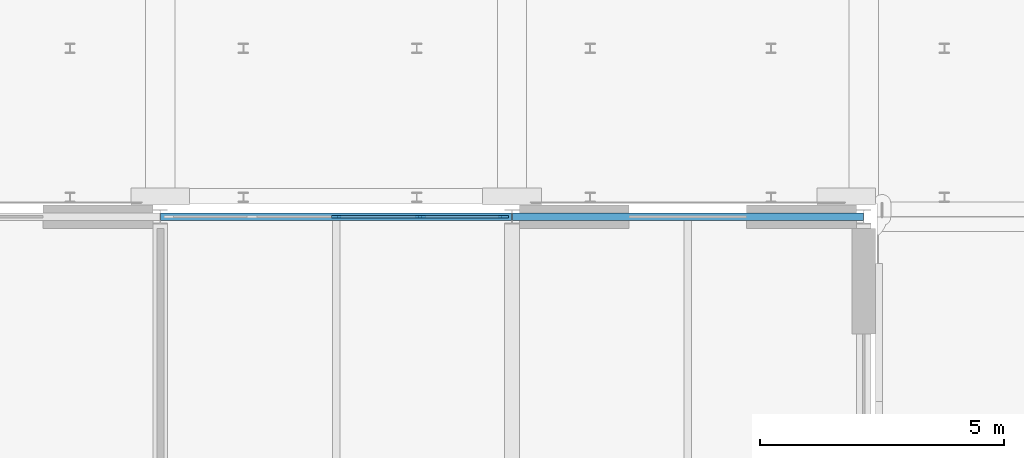
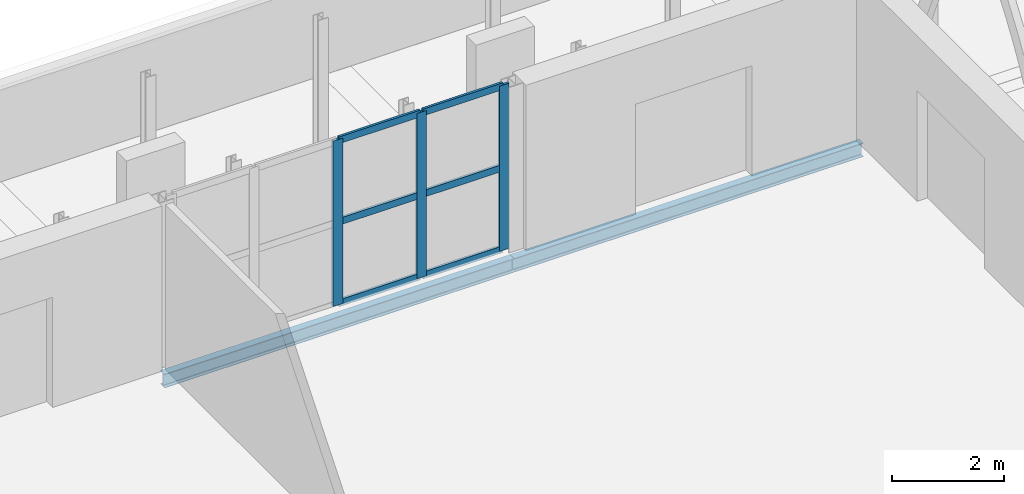
# One storey, part 59 of 143: 9 members, 2 beams, 1 element without a shape of its own.
"""IFC4 building model written with IfcOpenShell, lengths in metres."""

from ifc_helpers import new_model, si_unit, direction, frame, origin, origin_2d, place, context, subcontext, project, spatial, rectangle, i_section, extrude, material, material_profile, profile_set, type_object, element, aggregate, save


model = new_model("IFC4")

# Units and contexts
model_context = context("Model", 3, precision=1e-05, world=origin(), true_north=direction((0.0, 1.0)))
body_context = subcontext(model_context, "Body", "Model", "MODEL_VIEW")
ifc_project = project(units=[si_unit("LENGTHUNIT", "METRE"), si_unit("AREAUNIT", "SQUARE_METRE"), si_unit("VOLUMEUNIT", "CUBIC_METRE"), si_unit("PLANEANGLEUNIT", "RADIAN"), si_unit("MASSUNIT", "GRAM", prefix="KILO")], contexts=[model_context])

# Site, building, storey
site_placement = place(None, origin())
site = spatial("IfcSite", under=ifc_project, at=site_placement, CompositionType="ELEMENT")
building_placement = place(site_placement, origin())
building = spatial("IfcBuilding", under=site, at=building_placement, Name="Kupolbacken Congress Centre", CompositionType="ELEMENT")
storey_placement = place(building_placement, frame((0.0, 0.0, 7.199951171875)))
storey = spatial("IfcBuildingStorey", under=building, at=storey_placement, Name="L02", CompositionType="ELEMENT", Elevation=7.199951171875)

# Beams
ifc_material_1 = material(Name="Steel S355", Category="steel")
ifc_material_profile_1 = material_profile(ifc_material_1, i_section(OverallWidth=0.14990234375, OverallDepth=0.300048828125, WebThickness=0.007080078125, FlangeThickness=0.0107421875, FilletRadius=0.014892578125, at=origin_2d()), Name="IPE 300")
ifc_profile_set_1 = profile_set([ifc_material_profile_1], Name="Steel S355")
beam_type = type_object("IfcBeamType", Name="B04 beam IPE 300", PredefinedType="BEAM", material=ifc_profile_set_1)
for number, where, z_axis, x_axis, name in (
    (1, (187.20556640625, 151.199951171875, -0.369873046875), (1.0, 0.0, 0.0), (0.0, 1.0, 0.0), "S/floor/B/L02/R043"),
    (2, (194.405517578125, 151.199951171875, -0.369873046875), (1.0, 0.0, 0.0), (0.0, 1.0, 0.0), "S/floor/B/L02/R044"),
):
    element("IfcBeam", number, at=place(storey_placement, frame(where, z_axis=z_axis, x_axis=x_axis)), inside=storey, type_object=beam_type, Name=name, PredefinedType="BEAM", context=body_context, shape_type="SweptSolid", body=[
        extrude(i_section(OverallWidth=0.14990234375, OverallDepth=0.300048828125, WebThickness=0.007080078125, FlangeThickness=0.0107421875, FilletRadius=0.014892578125, at=origin_2d()), origin(), (0.0, 0.0, 1.0), 7.18896484375),
    ])

# Curtain wall, members
ifc_material_2 = material(Name="Aluminium mullion-transom frame with glass", Category="aluminium")
curtain_wall_type = type_object("IfcCurtainWallType", Name="CW1 curtain wall 7200x3600", PredefinedType="NOTDEFINED", material=ifc_material_2)
curtain_wall_placement = place(storey_placement, origin())
curtain_wall = element("IfcCurtainWall", 3, at=curtain_wall_placement, inside=storey, type_object=curtain_wall_type, Name="E/B/N/L02/206", PredefinedType="NOTDEFINED")
ifc_material_3 = material(Name="Aluminium alloy", Category="aluminium")
ifc_material_profile_2 = material_profile(ifc_material_3, rectangle(XDim=0.050048828125, YDim=0.199951171875, at=origin_2d()), Name="50 x 200")
ifc_profile_set_2 = profile_set([ifc_material_profile_2], Name="Aluminium alloy")
member_type_1 = type_object("IfcMemberType", Name="MU2 mullion 50x200", PredefinedType="MULLION", material=ifc_profile_set_2)
member_1_placement = place(storey_placement, frame((194.22509765625, 151.199951171875, 0.0), z_axis=(0.0, 0.0, 1.0), x_axis=(0.0, -1.0, 0.0)))
member_1 = element("IfcMember", 4, at=member_1_placement, type_object=member_type_1, Name="CW1 mullion 1", PredefinedType="MULLION", context=body_context, shape_type="SweptSolid", body=[
    extrude(rectangle(XDim=0.050048828125, YDim=0.199951171875, at=origin_2d()), origin(), (0.0, 0.0, 1.0), 3.60009765625),
])
member_2_placement = place(storey_placement, frame((192.52490234375, 151.199951171875, 0.0), z_axis=(0.0, 0.0, 1.0), x_axis=(0.0, -1.0, 0.0)))
member_2 = element("IfcMember", 5, at=member_2_placement, type_object=member_type_1, Name="CW1 mullion 2", PredefinedType="MULLION", context=body_context, shape_type="SweptSolid", body=[
    extrude(rectangle(XDim=0.050048828125, YDim=0.199951171875, at=origin_2d()), origin(), (0.0, 0.0, 1.0), 3.60009765625),
])
member_3_placement = place(storey_placement, frame((190.800048828125, 151.199951171875, 0.0), z_axis=(0.0, 0.0, 1.0), x_axis=(0.0, -1.0, 0.0)))
member_3 = element("IfcMember", 6, at=member_3_placement, type_object=member_type_1, Name="CW1 mullion 3", PredefinedType="MULLION", context=body_context, shape_type="SweptSolid", body=[
    extrude(rectangle(XDim=0.050048828125, YDim=0.199951171875, at=origin_2d()), origin(), (0.0, 0.0, 1.0), 3.60009765625),
])
ifc_material_4 = material(Name="Aluminium alloy", Category="aluminium")
ifc_material_profile_3 = material_profile(ifc_material_4, rectangle(XDim=0.050048828125, YDim=0.14990234375, at=origin_2d()), Name="50 x 150")
ifc_profile_set_3 = profile_set([ifc_material_profile_3], Name="Aluminium alloy")
member_type_2 = type_object("IfcMemberType", Name="TR2 transom 50x150", PredefinedType="MULLION", material=ifc_profile_set_3)
member_4_placement = place(storey_placement, frame((194.199951171875, 151.199951171875, 0.025146484375), z_axis=(-1.0, 0.0, 0.0), x_axis=(0.0, -1.0, 0.0)))
member_4 = element("IfcMember", 7, at=member_4_placement, type_object=member_type_2, Name="CW1 transom 1.1", PredefinedType="MULLION", context=body_context, shape_type="SweptSolid", body=[
    extrude(rectangle(XDim=0.050048828125, YDim=0.14990234375, at=origin_2d()), origin(), (0.0, 0.0, 1.0), 1.64990234375),
])
member_5_placement = place(storey_placement, frame((194.199951171875, 151.199951171875, 1.800048828125), z_axis=(-1.0, 0.0, 0.0), x_axis=(0.0, -1.0, 0.0)))
member_5 = element("IfcMember", 8, at=member_5_placement, type_object=member_type_2, Name="CW1 transom 1.2", PredefinedType="MULLION", context=body_context, shape_type="SweptSolid", body=[
    extrude(rectangle(XDim=0.050048828125, YDim=0.14990234375, at=origin_2d()), origin(), (0.0, 0.0, 1.0), 1.64990234375),
])
member_6_placement = place(storey_placement, frame((194.199951171875, 151.199951171875, 3.574951171875), z_axis=(-1.0, 0.0, 0.0), x_axis=(0.0, -1.0, 0.0)))
member_6 = element("IfcMember", 9, at=member_6_placement, type_object=member_type_2, Name="CW1 transom 1.3", PredefinedType="MULLION", context=body_context, shape_type="SweptSolid", body=[
    extrude(rectangle(XDim=0.050048828125, YDim=0.14990234375, at=origin_2d()), origin(), (0.0, 0.0, 1.0), 1.64990234375),
])
member_7_placement = place(storey_placement, frame((192.5, 151.199951171875, 0.025146484375), z_axis=(-1.0, 0.0, 0.0), x_axis=(0.0, -1.0, 0.0)))
member_7 = element("IfcMember", 10, at=member_7_placement, type_object=member_type_2, Name="CW1 transom 2.1", PredefinedType="MULLION", context=body_context, shape_type="SweptSolid", body=[
    extrude(rectangle(XDim=0.050048828125, YDim=0.14990234375, at=origin_2d()), origin(), (0.0, 0.0, 1.0), 1.675048828125),
])
member_8_placement = place(storey_placement, frame((192.5, 151.199951171875, 1.800048828125), z_axis=(-1.0, 0.0, 0.0), x_axis=(0.0, -1.0, 0.0)))
member_8 = element("IfcMember", 11, at=member_8_placement, type_object=member_type_2, Name="CW1 transom 2.2", PredefinedType="MULLION", context=body_context, shape_type="SweptSolid", body=[
    extrude(rectangle(XDim=0.050048828125, YDim=0.14990234375, at=origin_2d()), origin(), (0.0, 0.0, 1.0), 1.675048828125),
])
member_9_placement = place(storey_placement, frame((192.5, 151.199951171875, 3.574951171875), z_axis=(-1.0, 0.0, 0.0), x_axis=(0.0, -1.0, 0.0)))
member_9 = element("IfcMember", 12, at=member_9_placement, type_object=member_type_2, Name="CW1 transom 2.3", PredefinedType="MULLION", context=body_context, shape_type="SweptSolid", body=[
    extrude(rectangle(XDim=0.050048828125, YDim=0.14990234375, at=origin_2d()), origin(), (0.0, 0.0, 1.0), 1.675048828125),
])
aggregate(curtain_wall, [member_1, member_2, member_3, member_4, member_5, member_6, member_7, member_8, member_9])

save(model, "model.ifc")
